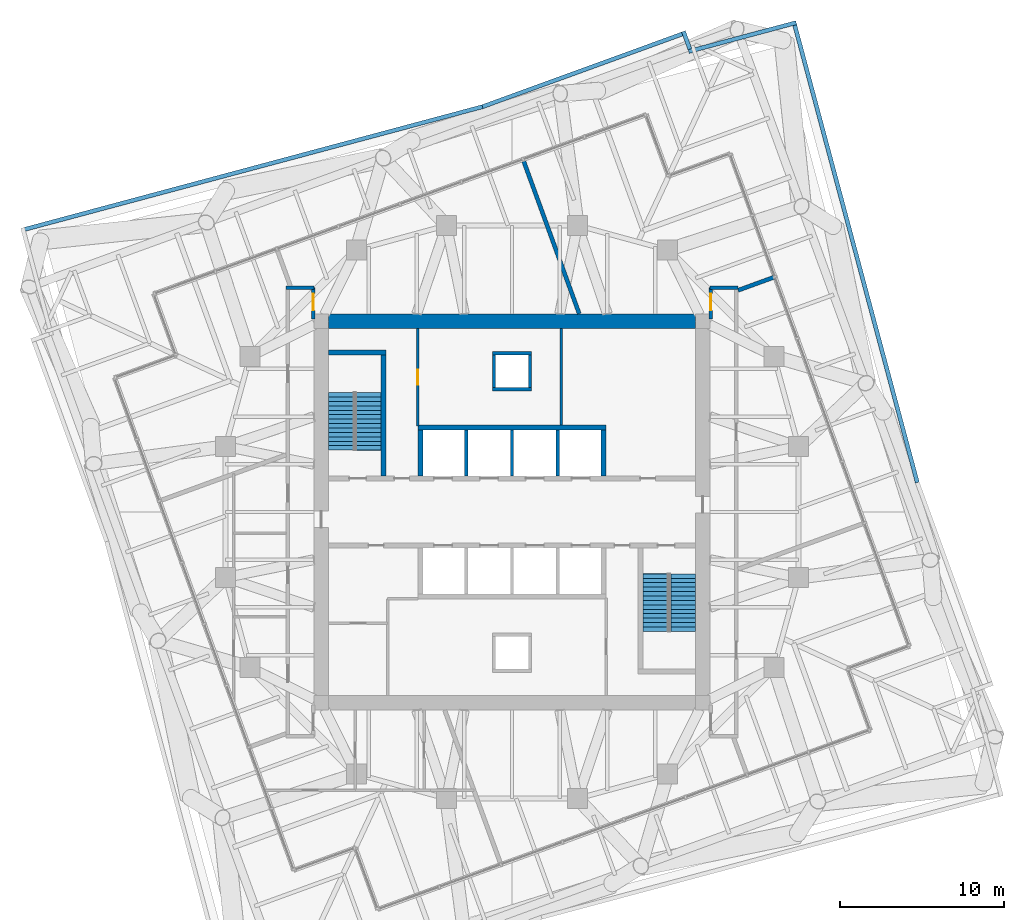
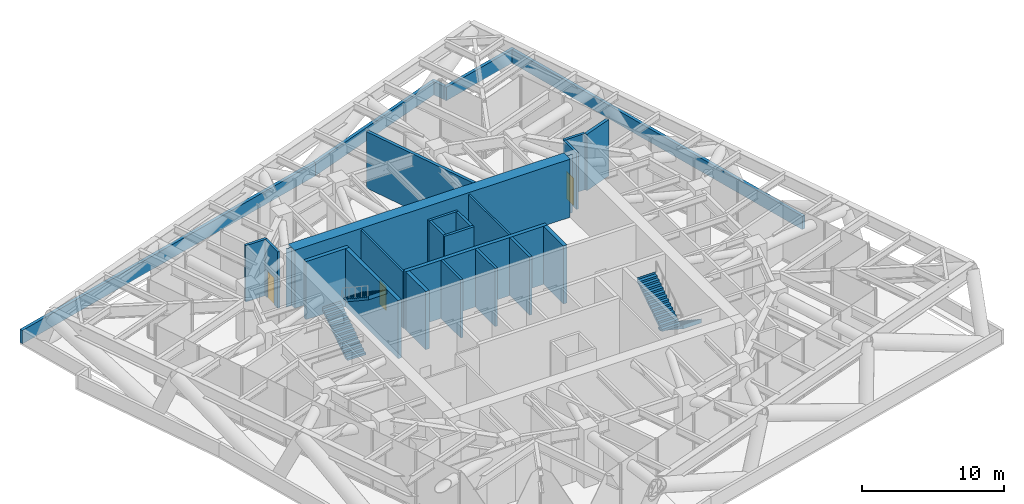
# One storey, part 10 of 12: 26 walls, 4 stair flights, 3 doors, 3 openings, 2 elements without a shape of their own.
"""IFC4 building model written with IfcOpenShell, lengths in metres."""

from ifc_helpers import new_model, si_unit, direction, frame, frame_2d, origin, place, context, subcontext, project, spatial, polyline, rectangle, outline, extrude, material, layer, layer_set, type_object, element, fill, aggregate, save


model = new_model("IFC4")

# Units and contexts
model_context = context("Model", 3, precision=1e-05, world=origin(), true_north=direction((0.0, 1.0)))
body_context = subcontext(model_context, "Body", "Model", "MODEL_VIEW")
ifc_project = project(units=[si_unit("LENGTHUNIT", "METRE"), si_unit("AREAUNIT", "SQUARE_METRE"), si_unit("VOLUMEUNIT", "CUBIC_METRE"), si_unit("PLANEANGLEUNIT", "RADIAN"), si_unit("MASSUNIT", "GRAM", prefix="KILO")], contexts=[model_context])

# Site, building, storey
site_placement = place(None, origin())
site = spatial("IfcSite", under=ifc_project, at=site_placement, CompositionType="ELEMENT")
building_placement = place(site_placement, origin())
building = spatial("IfcBuilding", under=site, at=building_placement, Name="Torsade Residences", CompositionType="ELEMENT")
storey_placement = place(building_placement, frame((0.0, 0.0, 138.800048828125)))
storey = spatial("IfcBuildingStorey", under=building, at=storey_placement, Name="L38", CompositionType="ELEMENT", Elevation=138.800048828125)

# Walls
ifc_material_1 = material(Name="Concrete 80 MPa", Category="concrete")
ifc_layer_1 = layer(ifc_material_1, 0.300048828125)
ifc_layer_set_1 = layer_set([ifc_layer_1], Name="Concrete 80 MPa")
wall_type_1 = type_object("IfcWallType", Name="CORE INTERNAL WALL 300", PredefinedType="SHEAR", material=ifc_layer_set_1)
wall_1_placement = place(storey_placement, frame((34.25, 35.14990234375, 0.0), z_axis=(0.0, 0.0, 1.0), x_axis=(1.0, 0.0, 0.0)))
element("IfcWall", 1, at=wall_1_placement, inside=storey, type_object=wall_type_1, Name="Core wall BN L38", PredefinedType="SHEAR", context=body_context, shape_type="SweptSolid", body=[
    extrude(rectangle(XDim=11.5, YDim=0.300048828125, at=frame_2d((5.75, 0.0))), origin(), (0.0, 0.0, 1.0), 5.0),
])
for number, where, z_axis, x_axis, name in (
    (2, (34.39990234375, 32.199951171875, 0.0), (0.0, 0.0, 1.0), (0.0, 1.0, 0.0), "Core wall DN0 L38"),
    (3, (45.60009765625, 32.199951171875, 0.0), (0.0, 0.0, 1.0), (0.0, 1.0, 0.0), "Core wall DN4 L38"),
):
    element("IfcWall", number, at=place(storey_placement, frame(where, z_axis=z_axis, x_axis=x_axis)), inside=storey, type_object=wall_type_1, Name=name, PredefinedType="SHEAR", context=body_context, shape_type="SweptSolid", body=[
        extrude(rectangle(XDim=2.800048828125, YDim=0.300048828125, at=frame_2d((1.39990234375, 0.0))), origin(), (0.0, 0.0, 1.0), 5.0),
    ])
wall_2_placement = place(storey_placement, frame((32.14990234375, 32.199951171875, 0.0), z_axis=(0.0, 0.0, 1.0), x_axis=(0.0, 1.0, 0.0)))
element("IfcWall", 4, at=wall_2_placement, inside=storey, type_object=wall_type_1, Name="Core wall ST1E L38", PredefinedType="SHEAR", context=body_context, shape_type="SweptSolid", body=[
    extrude(rectangle(XDim=7.699951171875, YDim=0.300048828125, at=frame_2d((3.85009765625, 0.0))), origin(), (0.0, 0.0, 1.0), 5.0),
])
wall_3_placement = place(storey_placement, frame((28.800048828125, 39.75, 0.0), z_axis=(0.0, 0.0, 1.0), x_axis=(1.0, 0.0, 0.0)))
element("IfcWall", 5, at=wall_3_placement, inside=storey, type_object=wall_type_1, Name="Core wall ST1N L38", PredefinedType="SHEAR", context=body_context, shape_type="SweptSolid", body=[
    extrude(rectangle(XDim=3.5, YDim=0.300048828125, at=frame_2d((1.75, 0.0))), origin(), (0.0, 0.0, 1.0), 5.0),
])
ifc_material_2 = material(Name="Concrete 80 MPa", Category="concrete")
ifc_layer_2 = layer(ifc_material_2, 0.89990234375)
ifc_layer_set_2 = layer_set([ifc_layer_2], Name="Concrete 80 MPa")
wall_type_2 = type_object("IfcWallType", Name="CORE WALL 900", PredefinedType="SHEAR", material=ifc_layer_set_2)
wall_4_placement = place(storey_placement, frame((28.800048828125, 41.64990234375, 0.0), z_axis=(0.0, 0.0, 1.0), x_axis=(1.0, 0.0, 0.0)))
element("IfcWall", 6, at=wall_4_placement, inside=storey, type_object=wall_type_2, Name="Core wall N L38", PredefinedType="SHEAR", context=body_context, shape_type="SweptSolid", body=[
    extrude(outline(polyline([(0.0, -0.449951171875), (22.39990234375, -0.449951171875), (22.39990234375, -0.02490234375), (22.849853515625, -0.02490234375), (22.849853515625, 0.02490234375), (22.39990234375, 0.02490234375), (22.39990234375, 0.449951171875), (0.0, 0.449951171875), (0.0, 0.02490234375), (-0.449951171875, 0.02490234375), (-0.449951171875, -0.02490234375), (0.0, -0.02490234375), (0.0, -0.449951171875)])), origin(), (0.0, 0.0, 1.0), 5.0),
])
ifc_material_3 = material(Name="Plasterboard on steel stud", Category="steel")
ifc_layer_3 = layer(ifc_material_3, 0.199951171875)
ifc_layer_set_3 = layer_set([ifc_layer_3], Name="Plasterboard on steel stud")
wall_type_3 = type_object("IfcWallType", Name="CORRIDOR WALL 200", PredefinedType="PARTITIONING", material=ifc_layer_set_3)
wall_5_placement = place(storey_placement, frame((52.10009765625, 43.699951171875, 0.0), z_axis=(0.0, 0.0, 1.0), x_axis=(1.0, 0.0, 0.0)))
element("IfcWall", 7, at=wall_5_placement, inside=storey, type_object=wall_type_3, Name="Corridor wall L38", PredefinedType="PARTITIONING", context=body_context, shape_type="SweptSolid", body=[
    extrude(rectangle(XDim=1.699951171875, YDim=0.199951171875, at=frame_2d((0.85009765625, 0.0))), origin(), (0.0, 0.0, 1.0), 4.849853515625),
])

# Wall, opening, door
wall_6_placement = place(storey_placement, frame((52.139892578125, 41.800048828125, 0.0), z_axis=(0.0, 0.0, 1.0), x_axis=(0.0, 1.0, 0.0)))
wall_6 = element("IfcWall", 8, at=wall_6_placement, inside=storey, type_object=wall_type_3, Name="Corridor wall L38", PredefinedType="PARTITIONING", context=body_context, shape_type="SweptSolid", body=[
    extrude(rectangle(XDim=1.89990234375, YDim=0.199951171875, at=frame_2d((0.949951171875, 0.0))), origin(), (0.0, 0.0, 1.0), 4.849853515625),
])
opening_1_placement = place(wall_6_placement, frame((0.510009765625, 0.0, 0.0)))
opening_1 = element("IfcOpeningElement", 9, at=opening_1_placement, cuts=wall_6, Name="Opening D01", PredefinedType="OPENING", context=body_context, shape_type="SweptSolid", body=[
    extrude(rectangle(XDim=1.02001953125, YDim=2.340087890625, at=frame_2d((0.510009765625, 1.169921875))), frame((0.0, 0.10986328125, 0.0), z_axis=(0.0, -1.0, 0.0), x_axis=(1.0, 0.0, 0.0)), (0.0, 0.0, 1.0), 0.219970703125),
])
ifc_material_4 = material(Name="Solid-core timber fire door", Category="wood")
door_type_1 = type_object("IfcDoorType", Name="APARTMENT ENTRY DOOR 1020x2340", OperationType="NOTDEFINED", PredefinedType="DOOR", material=ifc_material_4)
door_1_placement = place(opening_1_placement, origin())
door_1 = element("IfcDoor", 10, at=door_1_placement, inside=storey, type_object=door_type_1, Name="Door Residential corridor to Boardroom", OperationType="SINGLE_SWING_LEFT", OverallHeight=2.340087890625, OverallWidth=1.02001953125, PredefinedType="DOOR", context=body_context, shape_type="SweptSolid", body=[
    extrude(rectangle(XDim=1.02001953125, YDim=2.340087890625, at=frame_2d((0.510009765625, 1.169921875))), frame((0.0, 0.02490234375, 0.0), z_axis=(0.0, -1.0, 0.0), x_axis=(1.0, 0.0, 0.0)), (0.0, 0.0, 1.0), 0.050048828125),
])
fill(opening_1, door_1)

# Wall
wall_7_placement = place(storey_placement, frame((27.89990234375, 43.699951171875, 0.0), z_axis=(0.0, 0.0, 1.0), x_axis=(-1.0, 0.0, 0.0)))
element("IfcWall", 11, at=wall_7_placement, inside=storey, type_object=wall_type_3, Name="Corridor wall L38", PredefinedType="PARTITIONING", context=body_context, shape_type="SweptSolid", body=[
    extrude(rectangle(XDim=1.699951171875, YDim=0.199951171875, at=frame_2d((0.85009765625, 0.0))), origin(), (0.0, 0.0, 1.0), 4.849853515625),
])

# Wall, opening, door
wall_8_placement = place(storey_placement, frame((27.860107421875, 41.800048828125, 0.0), z_axis=(0.0, 0.0, 1.0), x_axis=(0.0, 1.0, 0.0)))
wall_8 = element("IfcWall", 12, at=wall_8_placement, inside=storey, type_object=wall_type_3, Name="Corridor wall L38", PredefinedType="PARTITIONING", context=body_context, shape_type="SweptSolid", body=[
    extrude(rectangle(XDim=1.89990234375, YDim=0.199951171875, at=frame_2d((0.949951171875, 0.0))), origin(), (0.0, 0.0, 1.0), 4.849853515625),
])
opening_2_placement = place(wall_8_placement, frame((0.510009765625, 0.0, 0.0)))
opening_2 = element("IfcOpeningElement", 13, at=opening_2_placement, cuts=wall_8, Name="Opening D01", PredefinedType="OPENING", context=body_context, shape_type="SweptSolid", body=[
    extrude(rectangle(XDim=1.02001953125, YDim=2.340087890625, at=frame_2d((0.510009765625, 1.169921875))), frame((0.0, 0.10986328125, 0.0), z_axis=(0.0, -1.0, 0.0), x_axis=(1.0, 0.0, 0.0)), (0.0, 0.0, 1.0), 0.219970703125),
])
door_2_placement = place(opening_2_placement, origin())
door_2 = element("IfcDoor", 14, at=door_2_placement, inside=storey, type_object=door_type_1, Name="Door Residential corridor to Gymnasium", OperationType="SINGLE_SWING_RIGHT", OverallHeight=2.340087890625, OverallWidth=1.02001953125, PredefinedType="DOOR", context=body_context, shape_type="SweptSolid", body=[
    extrude(rectangle(XDim=1.02001953125, YDim=2.340087890625, at=frame_2d((0.510009765625, 1.169921875))), frame((0.0, 0.02490234375, 0.0), z_axis=(0.0, -1.0, 0.0), x_axis=(1.0, 0.0, 0.0)), (0.0, 0.0, 1.0), 0.050048828125),
])
fill(opening_2, door_2)

# Walls
ifc_material_5 = material(Name="Reinforced blockwork", Category="masonry")
ifc_layer_4 = layer(ifc_material_5, 0.199951171875)
ifc_layer_set_4 = layer_set([ifc_layer_4], Name="Reinforced blockwork")
wall_type_4 = type_object("IfcWallType", Name="LIFT SHAFT DIVIDING WALL 200", PredefinedType="SOLIDWALL", material=ifc_layer_set_4)
for number, where, z_axis, x_axis, name in (
    (15, (37.199951171875, 32.199951171875, 0.0), (0.0, 0.0, 1.0), (0.0, 1.0, 0.0), "Core wall DN1 L38"),
    (16, (40.0, 32.199951171875, 0.0), (0.0, 0.0, 1.0), (0.0, 1.0, 0.0), "Core wall DN2 L38"),
    (17, (42.800048828125, 32.199951171875, 0.0), (0.0, 0.0, 1.0), (0.0, 1.0, 0.0), "Core wall DN3 L38"),
):
    element("IfcWall", number, at=place(storey_placement, frame(where, z_axis=z_axis, x_axis=x_axis)), inside=storey, type_object=wall_type_4, Name=name, PredefinedType="SOLIDWALL", context=body_context, shape_type="SweptSolid", body=[
        extrude(rectangle(XDim=2.800048828125, YDim=0.199951171875, at=frame_2d((1.39990234375, 0.0))), origin(), (0.0, 0.0, 1.0), 5.0),
    ])
ifc_material_6 = material(Name="Stone-faced precast concrete 40 MPa panel", Category="masonry")
ifc_layer_5 = layer(ifc_material_6, 0.25)
ifc_layer_set_5 = layer_set([ifc_layer_5], Name="Stone-faced precast concrete 40 MPa panel")
wall_type_5 = type_object("IfcWallType", Name="PARAPET WALL 250", PredefinedType="PARAPET", material=ifc_layer_set_5)
wall_9_placement = place(storey_placement, frame((64.75244140625, 31.800537109375, -0.050048828125), z_axis=(0.0, 0.0, 1.0), x_axis=(-0.258820599944, 0.965925409669, 0.0)))
element("IfcWall", 18, at=wall_9_placement, inside=storey, type_object=wall_type_5, Name="Ledge parapet L38 8", PredefinedType="PARAPET", context=body_context, shape_type="SweptSolid", body=[
    extrude(rectangle(XDim=29.167236328125, YDim=0.25, at=frame_2d((14.58349609375, 0.0))), origin(), (0.0, 0.0, 1.0), 1.14990234375),
])
wall_10_placement = place(storey_placement, frame((57.3564453125, 59.885498046875, -0.050048828125), z_axis=(0.0, 0.0, 1.0), x_axis=(-0.965922394447, -0.258831852573, 0.0)))
element("IfcWall", 19, at=wall_10_placement, inside=storey, type_object=wall_type_5, Name="Ledge parapet L38 9", PredefinedType="PARAPET", context=body_context, shape_type="SweptSolid", body=[
    extrude(rectangle(XDim=6.796142578125, YDim=0.25, at=frame_2d((3.39794921875, 0.0))), origin(), (0.0, 0.0, 1.0), 1.14990234375),
])
wall_11_placement = place(storey_placement, frame((50.86328125, 58.263916015625, -0.050048828125), z_axis=(0.0, 0.0, 1.0), x_axis=(-0.341895660983, 0.939737919316, 0.0)))
element("IfcWall", 20, at=wall_11_placement, inside=storey, type_object=wall_type_5, Name="Ledge parapet L38 10", PredefinedType="PARAPET", context=body_context, shape_type="SweptSolid", body=[
    extrude(rectangle(XDim=1.156005859375, YDim=0.25, at=frame_2d((0.578125, 0.0))), origin(), (0.0, 0.0, 1.0), 1.14990234375),
])
wall_12_placement = place(storey_placement, frame((50.628173828125, 59.275634765625, -0.050048828125), z_axis=(0.0, 0.0, 1.0), x_axis=(-0.939692601126, -0.342020197341, 0.0)))
element("IfcWall", 21, at=wall_12_placement, inside=storey, type_object=wall_type_5, Name="Ledge parapet L38 11", PredefinedType="PARAPET", context=body_context, shape_type="SweptSolid", body=[
    extrude(rectangle(XDim=13.226318359375, YDim=0.25, at=frame_2d((6.61328125, 0.0))), origin(), (0.0, 0.0, 1.0), 1.14990234375),
])
wall_13_placement = place(storey_placement, frame((38.199462890625, 54.75244140625, -0.050048828125), z_axis=(0.0, 0.0, 1.0), x_axis=(-0.965925409669, -0.258820599944, 0.0)))
element("IfcWall", 22, at=wall_13_placement, inside=storey, type_object=wall_type_5, Name="Ledge parapet L38 12", PredefinedType="PARAPET", context=body_context, shape_type="SweptSolid", body=[
    extrude(rectangle(XDim=29.167236328125, YDim=0.25, at=frame_2d((14.58349609375, 0.0))), origin(), (0.0, 0.0, 1.0), 1.14990234375),
])
ifc_material_7 = material(Name="Masonry-lined stud party wall", Category="masonry")
ifc_layer_6 = layer(ifc_material_7, 0.25)
ifc_layer_set_6 = layer_set([ifc_layer_6], Name="Masonry-lined stud party wall")
wall_type_6 = type_object("IfcWallType", Name="PARTY WALL 250", PredefinedType="PARTITIONING", material=ifc_layer_set_6)
wall_14_placement = place(storey_placement, frame((56.0576171875, 44.35791015625, 0.0), z_axis=(0.0, 0.0, 1.0), x_axis=(-0.939692273186, -0.342021098348, 0.0)))
element("IfcWall", 23, at=wall_14_placement, inside=storey, type_object=wall_type_6, Name="Party wall L38", PredefinedType="PARTITIONING", context=body_context, shape_type="SweptSolid", body=[
    extrude(rectangle(XDim=2.39697265625, YDim=0.25, at=frame_2d((1.198486328125, 0.0))), origin(), (0.0, 0.0, 1.0), 4.849853515625),
])
wall_15_placement = place(storey_placement, frame((40.67724609375, 51.530029296875, 0.0), z_axis=(0.0, 0.0, 1.0), x_axis=(0.342004948299, -0.939698151184, 0.0)))
element("IfcWall", 24, at=wall_15_placement, inside=storey, type_object=wall_type_6, Name="Party wall L38", PredefinedType="PARTITIONING", context=body_context, shape_type="SweptSolid", body=[
    extrude(rectangle(XDim=10.029541015625, YDim=0.25, at=frame_2d((5.0146484375, 0.0))), origin(), (0.0, 0.0, 1.0), 4.849853515625),
])
ifc_material_8 = material(Name="Reinforced blockwork", Category="masonry")
ifc_layer_7 = layer(ifc_material_8, 0.199951171875)
ifc_layer_set_7 = layer_set([ifc_layer_7], Name="Reinforced blockwork")
wall_type_7 = type_object("IfcWallType", Name="RISER SHAFT WALL 200", PredefinedType="SOLIDWALL", material=ifc_layer_set_7)
for number, where, z_axis, x_axis, name in (
    (25, (38.89990234375, 37.60009765625, 0.0), (0.0, 0.0, 1.0), (0.0, 1.0, 0.0), "Core wall RS1a L38"),
    (26, (41.10009765625, 37.60009765625, 0.0), (0.0, 0.0, 1.0), (0.0, 1.0, 0.0), "Core wall RS1b L38"),
):
    element("IfcWall", number, at=place(storey_placement, frame(where, z_axis=z_axis, x_axis=x_axis)), inside=storey, type_object=wall_type_7, Name=name, PredefinedType="SOLIDWALL", context=body_context, shape_type="SweptSolid", body=[
        extrude(rectangle(XDim=2.0, YDim=0.199951171875, at=frame_2d((1.0, 0.0))), origin(), (0.0, 0.0, 1.0), 5.0),
    ])
for number, where, z_axis, x_axis, name in (
    (27, (38.800048828125, 37.5, 0.0), (0.0, 0.0, 1.0), (1.0, 0.0, 0.0), "Core wall RS1c L38"),
    (28, (38.800048828125, 39.699951171875, 0.0), (0.0, 0.0, 1.0), (1.0, 0.0, 0.0), "Core wall RS1d L38"),
):
    element("IfcWall", number, at=place(storey_placement, frame(where, z_axis=z_axis, x_axis=x_axis)), inside=storey, type_object=wall_type_7, Name=name, PredefinedType="SOLIDWALL", context=body_context, shape_type="SweptSolid", body=[
        extrude(rectangle(XDim=2.39990234375, YDim=0.199951171875, at=frame_2d((1.199951171875, 0.0))), origin(), (0.0, 0.0, 1.0), 5.0),
    ])

# Wall, opening, door
ifc_material_9 = material(Name="Reinforced blockwork", Category="masonry")
ifc_layer_8 = layer(ifc_material_9, 0.14990234375)
ifc_layer_set_8 = layer_set([ifc_layer_8], Name="Reinforced blockwork")
wall_type_8 = type_object("IfcWallType", Name="SERVICE ROOM WALL 150", PredefinedType="SOLIDWALL", material=ifc_layer_set_8)
wall_16_placement = place(storey_placement, frame((34.25, 41.199951171875, 0.0), z_axis=(0.0, 0.0, 1.0), x_axis=(0.0, -1.0, 0.0)))
wall_16 = element("IfcWall", 29, at=wall_16_placement, inside=storey, type_object=wall_type_8, Name="Service room wall L38", PredefinedType="SOLIDWALL", context=body_context, shape_type="SweptSolid", body=[
    extrude(rectangle(XDim=5.949951171875, YDim=0.14990234375, at=frame_2d((2.97509765625, 0.0))), origin(), (0.0, 0.0, 1.0), 4.849853515625),
])
opening_3_placement = place(wall_16_placement, frame((2.514892578125, 0.0, 0.0)))
opening_3 = element("IfcOpeningElement", 30, at=opening_3_placement, cuts=wall_16, Name="Opening D06", PredefinedType="OPENING", context=body_context, shape_type="SweptSolid", body=[
    extrude(rectangle(XDim=0.919921875, YDim=2.10009765625, at=frame_2d((0.4599609375, 1.050048828125))), frame((0.0, 0.0849609375, 0.0), z_axis=(0.0, -1.0, 0.0), x_axis=(1.0, 0.0, 0.0)), (0.0, 0.0, 1.0), 0.169921875),
])
ifc_material_10 = material(Name="Steel-framed fire door", Category="steel")
door_type_2 = type_object("IfcDoorType", Name="FIRE DOOR 920", OperationType="NOTDEFINED", PredefinedType="DOOR", material=ifc_material_10)
door_3_placement = place(opening_3_placement, origin())
door_3 = element("IfcDoor", 31, at=door_3_placement, inside=storey, type_object=door_type_2, Name="Door Main switchboard store to Electrical riser room", OperationType="SINGLE_SWING_RIGHT", OverallHeight=2.10009765625, OverallWidth=0.919921875, PredefinedType="DOOR", context=body_context, shape_type="SweptSolid", body=[
    extrude(rectangle(XDim=0.919921875, YDim=2.10009765625, at=frame_2d((0.4599609375, 1.050048828125))), frame((0.0, 0.02490234375, 0.0), z_axis=(0.0, -1.0, 0.0), x_axis=(1.0, 0.0, 0.0)), (0.0, 0.0, 1.0), 0.050048828125),
])
fill(opening_3, door_3)

# Wall
wall_17_placement = place(storey_placement, frame((43.0, 41.199951171875, 0.0), z_axis=(0.0, 0.0, 1.0), x_axis=(0.0, -1.0, 0.0)))
element("IfcWall", 32, at=wall_17_placement, inside=storey, type_object=wall_type_8, Name="Service room wall L38", PredefinedType="SOLIDWALL", context=body_context, shape_type="SweptSolid", body=[
    extrude(rectangle(XDim=5.89990234375, YDim=0.14990234375, at=frame_2d((2.949951171875, 0.0))), origin(), (0.0, 0.0, 1.0), 4.849853515625),
])

# Stair, stair flights
ifc_material_11 = material(Name="Precast concrete 40 MPa", Category="concrete")
stair_type = type_object("IfcStairType", Name="HALF-TURN FIRE STAIR 1500x5000", PredefinedType="HALF_TURN_STAIR", material=ifc_material_11)
stair_1_placement = place(storey_placement, origin())
stair_1 = element("IfcStair", 33, at=stair_1_placement, inside=storey, type_object=stair_type, Name="Stair ST1 L38", PredefinedType="HALF_TURN_STAIR")
ifc_material_12 = material(Name="Precast concrete 40 MPa", Category="concrete")
stair_flight_type = type_object("IfcStairFlightType", Name="PRECAST STAIR FLIGHT 1500x2500", PredefinedType="STRAIGHT", material=ifc_material_12)
stair_flight_1_placement = place(storey_placement, frame((29.550048828125, 33.780029296875, 0.0), z_axis=(0.0, 0.0, 1.0), x_axis=(0.0, 1.0, 0.0)))
stair_flight_1 = element("IfcStairFlight", 34, at=stair_flight_1_placement, type_object=stair_flight_type, Name="ST1 flight 1", NumberOfRisers=14, NumberOfTreads=13, PredefinedType="STRAIGHT", RiserHeight=0.178571429, TreadLength=0.27, context=body_context, shape_type="SweptSolid", body=[
    extrude(outline(polyline([(0.0, 0.0), (0.0, 0.178466796875), (0.27001953125, 0.178466796875), (0.27001953125, 0.357177734375), (0.5400390625, 0.357177734375), (0.5400390625, 0.53564453125), (0.81005859375, 0.53564453125), (0.81005859375, 0.71435546875), (1.080078125, 0.71435546875), (1.080078125, 0.892822265625), (1.35009765625, 0.892822265625), (1.35009765625, 1.071533203125), (1.6201171875, 1.071533203125), (1.6201171875, 1.25), (1.889892578125, 1.25), (1.889892578125, 1.428466796875), (2.159912109375, 1.428466796875), (2.159912109375, 1.607177734375), (2.429931640625, 1.607177734375), (2.429931640625, 1.78564453125), (2.699951171875, 1.78564453125), (2.699951171875, 1.96435546875), (2.969970703125, 1.96435546875), (2.969970703125, 2.142822265625), (3.239990234375, 2.142822265625), (3.239990234375, 2.321533203125), (3.510009765625, 2.321533203125), (3.510009765625, 2.5), (3.52001953125, 2.5), (3.52001953125, 2.1416015625), (3.510009765625, 2.1416015625), (0.271728515625, 0.0), (0.0, 0.0)])), frame((0.0, 0.75, 0.0), z_axis=(0.0, -1.0, 0.0), x_axis=(1.0, 0.0, 0.0)), (0.0, 0.0, 1.0), 1.5),
])
stair_flight_2_placement = place(storey_placement, frame((31.25, 37.2900390625, 2.5), z_axis=(0.0, 0.0, 1.0), x_axis=(0.0, -1.0, 0.0)))
stair_flight_2 = element("IfcStairFlight", 35, at=stair_flight_2_placement, type_object=stair_flight_type, Name="ST1 flight 2", NumberOfRisers=14, NumberOfTreads=13, PredefinedType="STRAIGHT", RiserHeight=0.178571429, TreadLength=0.27, context=body_context, shape_type="SweptSolid", body=[
    extrude(outline(polyline([(0.0, 0.0), (0.0, 0.178466796875), (0.27001953125, 0.178466796875), (0.27001953125, 0.357177734375), (0.5400390625, 0.357177734375), (0.5400390625, 0.53564453125), (0.81005859375, 0.53564453125), (0.81005859375, 0.71435546875), (1.080078125, 0.71435546875), (1.080078125, 0.892822265625), (1.35009765625, 0.892822265625), (1.35009765625, 1.071533203125), (1.6201171875, 1.071533203125), (1.6201171875, 1.25), (1.889892578125, 1.25), (1.889892578125, 1.428466796875), (2.159912109375, 1.428466796875), (2.159912109375, 1.607177734375), (2.429931640625, 1.607177734375), (2.429931640625, 1.78564453125), (2.699951171875, 1.78564453125), (2.699951171875, 1.96435546875), (2.969970703125, 1.96435546875), (2.969970703125, 2.142822265625), (3.239990234375, 2.142822265625), (3.239990234375, 2.321533203125), (3.510009765625, 2.321533203125), (3.510009765625, 2.5), (3.52001953125, 2.5), (3.52001953125, 2.1416015625), (3.510009765625, 2.1416015625), (0.271728515625, 0.0), (0.0, 0.0)])), frame((0.0, 0.75, 0.0), z_axis=(0.0, -1.0, 0.0), x_axis=(1.0, 0.0, 0.0)), (0.0, 0.0, 1.0), 1.5),
])
aggregate(stair_1, [stair_flight_1, stair_flight_2])

stair_2_placement = place(storey_placement, origin())
stair_2 = element("IfcStair", 36, at=stair_2_placement, inside=storey, type_object=stair_type, Name="Stair ST2 L38", PredefinedType="HALF_TURN_STAIR")
stair_flight_3_placement = place(storey_placement, frame((50.449951171875, 26.219970703125, 0.0), z_axis=(0.0, 0.0, 1.0), x_axis=(0.0, -1.0, 0.0)))
stair_flight_3 = element("IfcStairFlight", 37, at=stair_flight_3_placement, type_object=stair_flight_type, Name="ST2 flight 1", NumberOfRisers=14, NumberOfTreads=13, PredefinedType="STRAIGHT", RiserHeight=0.178571429, TreadLength=0.27, context=body_context, shape_type="SweptSolid", body=[
    extrude(outline(polyline([(0.0, 0.0), (0.0, 0.178466796875), (0.27001953125, 0.178466796875), (0.27001953125, 0.357177734375), (0.5400390625, 0.357177734375), (0.5400390625, 0.53564453125), (0.81005859375, 0.53564453125), (0.81005859375, 0.71435546875), (1.080078125, 0.71435546875), (1.080078125, 0.892822265625), (1.35009765625, 0.892822265625), (1.35009765625, 1.071533203125), (1.6201171875, 1.071533203125), (1.6201171875, 1.25), (1.889892578125, 1.25), (1.889892578125, 1.428466796875), (2.159912109375, 1.428466796875), (2.159912109375, 1.607177734375), (2.429931640625, 1.607177734375), (2.429931640625, 1.78564453125), (2.699951171875, 1.78564453125), (2.699951171875, 1.96435546875), (2.969970703125, 1.96435546875), (2.969970703125, 2.142822265625), (3.239990234375, 2.142822265625), (3.239990234375, 2.321533203125), (3.510009765625, 2.321533203125), (3.510009765625, 2.5), (3.52001953125, 2.5), (3.52001953125, 2.1416015625), (3.510009765625, 2.1416015625), (0.271728515625, 0.0), (0.0, 0.0)])), frame((0.0, 0.75, 0.0), z_axis=(0.0, -1.0, 0.0), x_axis=(1.0, 0.0, 0.0)), (0.0, 0.0, 1.0), 1.5),
])
stair_flight_4_placement = place(storey_placement, frame((48.75, 22.7099609375, 2.5), z_axis=(0.0, 0.0, 1.0), x_axis=(0.0, 1.0, 0.0)))
stair_flight_4 = element("IfcStairFlight", 38, at=stair_flight_4_placement, type_object=stair_flight_type, Name="ST2 flight 2", NumberOfRisers=14, NumberOfTreads=13, PredefinedType="STRAIGHT", RiserHeight=0.178571429, TreadLength=0.27, context=body_context, shape_type="SweptSolid", body=[
    extrude(outline(polyline([(0.0, 0.0), (0.0, 0.178466796875), (0.27001953125, 0.178466796875), (0.27001953125, 0.357177734375), (0.5400390625, 0.357177734375), (0.5400390625, 0.53564453125), (0.81005859375, 0.53564453125), (0.81005859375, 0.71435546875), (1.080078125, 0.71435546875), (1.080078125, 0.892822265625), (1.35009765625, 0.892822265625), (1.35009765625, 1.071533203125), (1.6201171875, 1.071533203125), (1.6201171875, 1.25), (1.889892578125, 1.25), (1.889892578125, 1.428466796875), (2.159912109375, 1.428466796875), (2.159912109375, 1.607177734375), (2.429931640625, 1.607177734375), (2.429931640625, 1.78564453125), (2.699951171875, 1.78564453125), (2.699951171875, 1.96435546875), (2.969970703125, 1.96435546875), (2.969970703125, 2.142822265625), (3.239990234375, 2.142822265625), (3.239990234375, 2.321533203125), (3.510009765625, 2.321533203125), (3.510009765625, 2.5), (3.52001953125, 2.5), (3.52001953125, 2.1416015625), (3.510009765625, 2.1416015625), (0.271728515625, 0.0), (0.0, 0.0)])), frame((0.0, 0.75, 0.0), z_axis=(0.0, -1.0, 0.0), x_axis=(1.0, 0.0, 0.0)), (0.0, 0.0, 1.0), 1.5),
])
aggregate(stair_2, [stair_flight_3, stair_flight_4])

save(model, "model.ifc")
